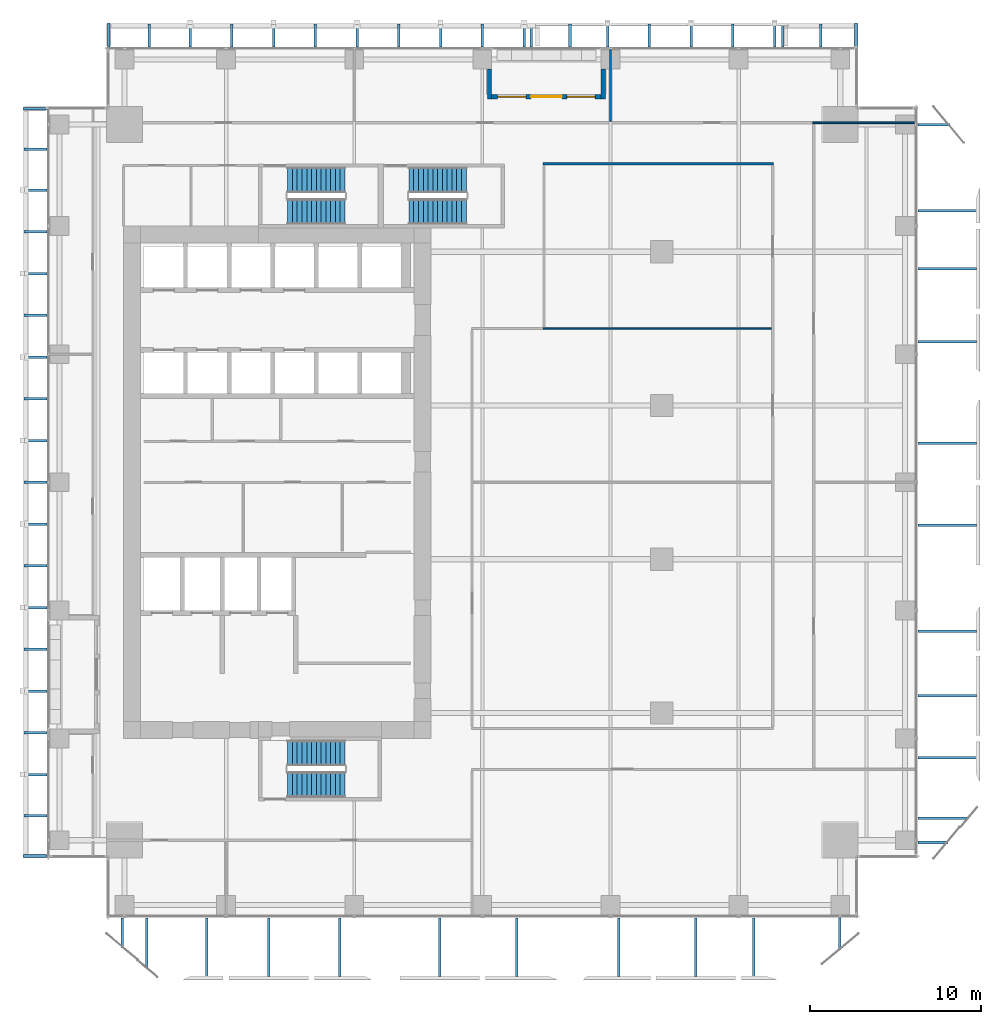
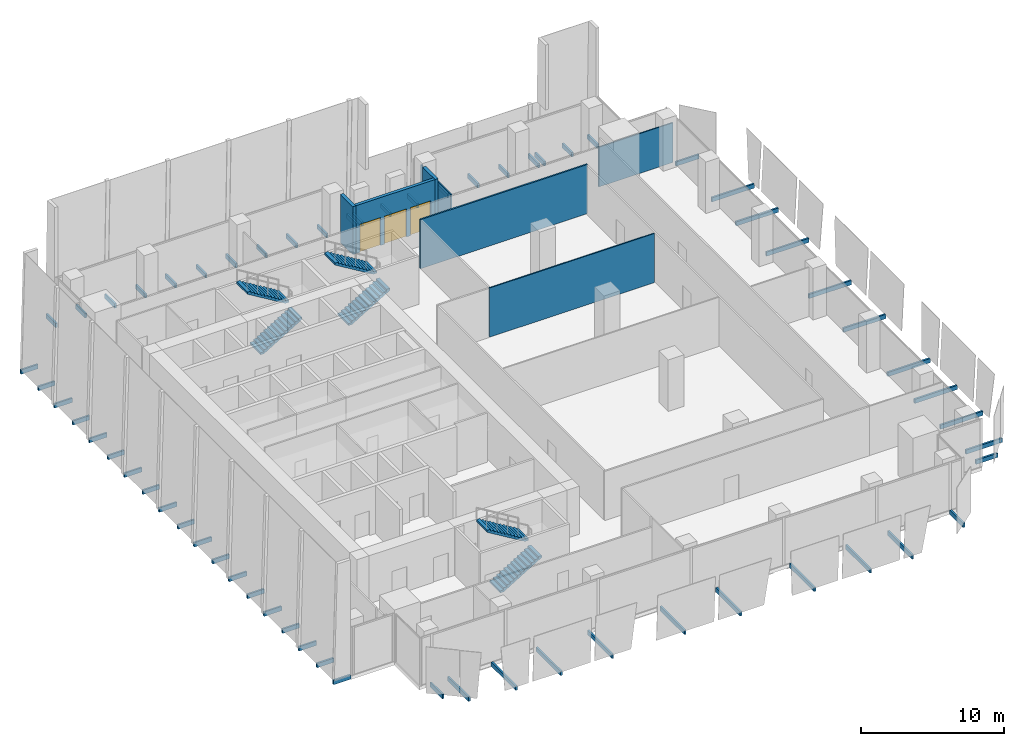
# One storey, part 31 of 34: 62 discrete accessories, 7 walls, 6 stair flights, 2 windows, 1 door, 3 openings, 3 elements without a shape of their own.
"""IFC4 building model written with IfcOpenShell, lengths in metres."""

from ifc_helpers import new_model, si_unit, direction, frame, frame_2d, origin, origin_2d, place, context, subcontext, project, spatial, polyline, rectangle, outline, extrude, source, transform, mapped, material, layer, layer_set, type_object, element, fill, aggregate, save


model = new_model("IFC4")

# Units and contexts
model_context = context("Model", 3, precision=1e-05, world=origin(), true_north=direction((0.0, 1.0)))
body_context = subcontext(model_context, "Body", "Model", "MODEL_VIEW")
ifc_project = project(units=[si_unit("LENGTHUNIT", "METRE"), si_unit("AREAUNIT", "SQUARE_METRE"), si_unit("VOLUMEUNIT", "CUBIC_METRE"), si_unit("PLANEANGLEUNIT", "RADIAN"), si_unit("MASSUNIT", "GRAM", prefix="KILO")], contexts=[model_context])

# Site, building, storey
site_placement = place(None, origin())
site = spatial("IfcSite", under=ifc_project, at=site_placement, CompositionType="ELEMENT")
building_placement = place(site_placement, origin())
building = spatial("IfcBuilding", under=site, at=building_placement, Name="Khomas Fold Tower", CompositionType="ELEMENT")
storey_placement = place(building_placement, frame((0.0, 0.0, 154.300048828125)))
storey = spatial("IfcBuildingStorey", under=building, at=storey_placement, Name="L33", CompositionType="ELEMENT", Elevation=154.300048828125)

# Wall, openings, door, windows
ifc_material_1 = material(Name="Natural stone", Category="masonry")
ifc_layer_1 = layer(ifc_material_1, 0.0400390625)
ifc_material_2 = material(Name="Mineral wool insulation", Category="insulation")
ifc_layer_2 = layer(ifc_material_2, 0.10009765625)
ifc_material_3 = material(Name="Masonry", Category="masonry")
ifc_layer_3 = layer(ifc_material_3, 0.110107421875)
ifc_layer_set_1 = layer_set([ifc_layer_1, ifc_layer_2, ifc_layer_3], Name="Stone-faced insulated masonry")
wall_type_1 = type_object("IfcWallType", Name="BL-Balcony wall", PredefinedType="SOLIDWALL", material=ifc_layer_set_1)
shared_shape_1 = source(origin(), body_context, "Body", "SweptSolid", [
    extrude(rectangle(XDim=6.39990234375, YDim=0.25, at=frame_2d((3.199951171875, 0.0))), origin(), (0.0, 0.0, 1.0), 4.099853515625),
])
wall_1_placement = place(storey_placement, frame((27.550048828125, 49.574951171875, 0.0), z_axis=(0.0, 0.0, 1.0), x_axis=(1.0, 0.0, 0.0)))
wall_1 = element("IfcWall", 1, at=wall_1_placement, inside=storey, type_object=wall_type_1, Name="Balcony wall BAL-L33-N3", PredefinedType="SOLIDWALL", context=body_context, shape_type="MappedRepresentation", body=[
    mapped(shared_shape_1, transform((0.0, 0.0, 0.0))),
])
shared_shape_2 = source(origin(), body_context, "Body", "SweptSolid", [
    extrude(rectangle(XDim=1.64990234375, YDim=2.39990234375, at=frame_2d((0.824951171875, 1.199951171875))), frame((0.0, 0.135009765625, 0.0), z_axis=(0.0, -1.0, 0.0), x_axis=(1.0, 0.0, 0.0)), (0.0, 0.0, 1.0), 0.27001953125),
])
opening_1_placement = place(wall_1_placement, frame((0.35009765625, 0.0, 0.0)))
opening_1 = element("IfcOpeningElement", 2, at=opening_1_placement, cuts=wall_1, Name="Opening BL-W2", PredefinedType="OPENING", context=body_context, shape_type="MappedRepresentation", body=[
    mapped(shared_shape_2, transform((0.0, 0.0, 0.0))),
])
opening_2_placement = place(wall_1_placement, frame((4.39990234375, 0.0, 0.0)))
opening_2 = element("IfcOpeningElement", 3, at=opening_2_placement, cuts=wall_1, Name="Opening BL-W2", PredefinedType="OPENING", context=body_context, shape_type="MappedRepresentation", body=[
    mapped(shared_shape_2, transform((0.0, 0.0, 0.0))),
])
shared_shape_3 = source(origin(), body_context, "Body", "SweptSolid", [
    extrude(rectangle(XDim=1.800048828125, YDim=2.39990234375, at=frame_2d((0.89990234375, 1.199951171875))), frame((0.0, 0.135009765625, 0.0), z_axis=(0.0, -1.0, 0.0), x_axis=(1.0, 0.0, 0.0)), (0.0, 0.0, 1.0), 0.27001953125),
])
opening_3_placement = place(wall_1_placement, frame((2.300048828125, 0.0, 0.0)))
opening_3 = element("IfcOpeningElement", 4, at=opening_3_placement, cuts=wall_1, Name="Opening BD332", PredefinedType="OPENING", context=body_context, shape_type="MappedRepresentation", body=[
    mapped(shared_shape_3, transform((0.0, 0.0, 0.0))),
])
ifc_material_4 = material(Name="Aluminium framed double glazing", Category="aluminium")
door_type = type_object("IfcDoorType", Name="BL-Glazed balcony door 1800 x 2400", OperationType="DOUBLE_DOOR_DOUBLE_SWING", PredefinedType="DOOR", material=ifc_material_4)
shared_shape_4 = source(origin(), body_context, "Body", "SweptSolid", [
    extrude(rectangle(XDim=1.800048828125, YDim=2.39990234375, at=frame_2d((0.89990234375, 1.199951171875))), frame((0.0, 0.02490234375, 0.0), z_axis=(0.0, -1.0, 0.0), x_axis=(1.0, 0.0, 0.0)), (0.0, 0.0, 1.0), 0.050048828125),
])
door_placement = place(opening_3_placement, origin())
door = element("IfcDoor", 5, at=door_placement, inside=storey, type_object=door_type, Name="Balcony door BD332", OperationType="DOUBLE_DOOR_DOUBLE_SWING", OverallHeight=2.39990234375, OverallWidth=1.800048828125, PredefinedType="DOOR", context=body_context, shape_type="MappedRepresentation", body=[
    mapped(shared_shape_4, transform((0.0, 0.0, 0.0))),
])
fill(opening_3, door)
ifc_material_5 = material(Name="Aluminium framed double glazing", Category="aluminium")
window_type = type_object("IfcWindowType", Name="BL-Fixed glazing 1650 x 2400", PartitioningType="SINGLE_PANEL", PredefinedType="WINDOW", material=ifc_material_5)
shared_shape_5 = source(origin(), body_context, "Body", "SweptSolid", [
    extrude(rectangle(XDim=1.64990234375, YDim=2.39990234375, at=frame_2d((0.824951171875, 1.199951171875))), frame((0.0, 0.030029296875, 0.0), z_axis=(0.0, -1.0, 0.0), x_axis=(1.0, 0.0, 0.0)), (0.0, 0.0, 1.0), 0.06005859375),
])
window_1_placement = place(opening_1_placement, origin())
window_1 = element("IfcWindow", 6, at=window_1_placement, inside=storey, type_object=window_type, Name="Balcony glazing BAL-L33-N3-1", OverallHeight=2.39990234375, OverallWidth=1.64990234375, PartitioningType="SINGLE_PANEL", PredefinedType="WINDOW", context=body_context, shape_type="MappedRepresentation", body=[
    mapped(shared_shape_5, transform((0.0, 0.0, 0.0))),
])
fill(opening_1, window_1)
window_2_placement = place(opening_2_placement, origin())
window_2 = element("IfcWindow", 7, at=window_2_placement, inside=storey, type_object=window_type, Name="Balcony glazing BAL-L33-N3-2", OverallHeight=2.39990234375, OverallWidth=1.64990234375, PartitioningType="SINGLE_PANEL", PredefinedType="WINDOW", context=body_context, shape_type="MappedRepresentation", body=[
    mapped(shared_shape_5, transform((0.0, 0.0, 0.0))),
])
fill(opening_2, window_2)

# Walls
shared_shape_6 = source(origin(), body_context, "Body", "SweptSolid", [
    extrude(rectangle(XDim=1.75, YDim=0.25, at=frame_2d((0.875, 0.0))), origin(), (0.0, 0.0, 1.0), 4.099853515625),
])
for number, where, z_axis, x_axis, name in (
    (8, (27.425048828125, 51.199951171875, 0.0), (0.0, 0.0, 1.0), (0.0, -1.0, 0.0), "Balcony return wall BAL-L33-N3-lo"),
    (9, (34.074951171875, 51.199951171875, 0.0), (0.0, 0.0, 1.0), (0.0, -1.0, 0.0), "Balcony return wall BAL-L33-N3-hi"),
):
    element("IfcWall", number, at=place(storey_placement, frame(where, z_axis=z_axis, x_axis=x_axis)), inside=storey, type_object=wall_type_1, Name=name, PredefinedType="SOLIDWALL", context=body_context, shape_type="MappedRepresentation", body=[
        mapped(shared_shape_6, transform((0.0, 0.0, 0.0))),
    ])
ifc_material_6 = material(Name="Plasterboard partition")
ifc_layer_4 = layer(ifc_material_6, 0.10009765625)
ifc_layer_set_2 = layer_set([ifc_layer_4], Name="Plasterboard partition")
wall_type_2 = type_object("IfcWallType", Name="Partition PW1 100", PredefinedType="PARTITIONING", material=ifc_layer_set_2)
shared_shape_7 = source(origin(), body_context, "Body", "SweptSolid", [
    extrude(rectangle(XDim=13.349853515625, YDim=0.10009765625, at=frame_2d((6.6748046875, 0.0))), origin(), (0.0, 0.0, 1.0), 4.199951171875),
])
wall_2_placement = place(storey_placement, frame((30.550048828125, 36.0, 0.0), z_axis=(0.0, 0.0, 1.0), x_axis=(1.0, 0.0, 0.0)))
element("IfcWall", 10, at=wall_2_placement, inside=storey, type_object=wall_type_2, Name="Partition", PredefinedType="PARTITIONING", context=body_context, shape_type="MappedRepresentation", body=[
    mapped(shared_shape_7, transform((0.0, 0.0, 0.0))),
])
ifc_material_7 = material(Name="Plasterboard partition")
ifc_layer_5 = layer(ifc_material_7, 0.125)
ifc_layer_set_3 = layer_set([ifc_layer_5], Name="Plasterboard partition")
wall_type_3 = type_object("IfcWallType", Name="Partition PW2 125", PredefinedType="PARTITIONING", material=ifc_layer_set_3)
shared_shape_8 = source(origin(), body_context, "Body", "SweptSolid", [
    extrude(rectangle(XDim=13.5, YDim=0.125, at=frame_2d((6.75, 0.0))), origin(), (0.0, 0.0, 1.0), 4.199951171875),
])
wall_3_placement = place(storey_placement, frame((30.550048828125, 45.64990234375, 0.0), z_axis=(0.0, 0.0, 1.0), x_axis=(1.0, 0.0, 0.0)))
element("IfcWall", 11, at=wall_3_placement, inside=storey, type_object=wall_type_3, Name="Partition", PredefinedType="PARTITIONING", context=body_context, shape_type="MappedRepresentation", body=[
    mapped(shared_shape_8, transform((0.0, 0.0, 0.0))),
])
shared_shape_9 = source(origin(), body_context, "Body", "SweptSolid", [
    extrude(rectangle(XDim=6.0, YDim=0.10009765625, at=frame_2d((3.0, 0.0))), origin(), (0.0, 0.0, 1.0), 3.39990234375),
])
wall_4_placement = place(storey_placement, frame((46.35009765625, 48.050048828125, 0.0), z_axis=(0.0, 0.0, 1.0), x_axis=(1.0, 0.0, 0.0)))
element("IfcWall", 12, at=wall_4_placement, inside=storey, type_object=wall_type_2, Name="Partition", PredefinedType="PARTITIONING", context=body_context, shape_type="MappedRepresentation", body=[
    mapped(shared_shape_9, transform((0.0, 0.0, 0.0))),
])
shared_shape_10 = source(origin(), body_context, "Body", "SweptSolid", [
    extrude(rectangle(XDim=4.2001953125, YDim=0.10009765625, at=frame_2d((2.10009765625, 0.0))), origin(), (0.0, 0.0, 1.0), 3.449951171875),
])
wall_5_placement = place(storey_placement, frame((34.5, 48.14990234375, 0.0), z_axis=(0.0, 0.0, 1.0), x_axis=(0.0, 1.0, 0.0)))
element("IfcWall", 13, at=wall_5_placement, inside=storey, type_object=wall_type_2, Name="Partition", PredefinedType="PARTITIONING", context=body_context, shape_type="MappedRepresentation", body=[
    mapped(shared_shape_10, transform((0.0, 0.0, 0.0))),
])

# Stair, stair flights
ifc_material_8 = material(Name="Concrete C40/50", Category="concrete")
stair_type_1 = type_object("IfcStairType", Name="Stair ST1", PredefinedType="HALF_TURN_STAIR", material=ifc_material_8)
stair_1_placement = place(storey_placement, origin())
stair_1 = element("IfcStair", 14, at=stair_1_placement, inside=storey, type_object=stair_type_1, Name="L33 ST1", PredefinedType="HALF_TURN_STAIR")
ifc_material_9 = material(Name="Concrete C40/50", Category="concrete")
stair_flight_type_1 = type_object("IfcStairFlightType", Name="Stair flight 1500 ST1", PredefinedType="STRAIGHT", material=ifc_material_9)
shared_shape_11 = source(origin(), body_context, "Body", "SweptSolid", [
    extrude(outline(polyline([(0.0, 0.0), (0.0, 0.012939453125), (0.0, 0.026123046875), (0.0, 0.0390625), (0.0, 0.052001953125), (0.0, 0.065185546875), (0.0, 0.078125), (0.0, 0.091064453125), (0.0, 0.104248046875), (0.0, 0.1171875), (0.0, 0.130126953125), (0.0, 0.143310546875), (0.0, 0.15625), (0.0, 0.169189453125), (0.280029296875, 0.169189453125), (0.280029296875, 0.33837890625), (0.56005859375, 0.33837890625), (0.56005859375, 0.5078125), (0.840087890625, 0.5078125), (0.840087890625, 0.677001953125), (1.1201171875, 0.677001953125), (1.1201171875, 0.84619140625), (1.39990234375, 0.84619140625), (1.39990234375, 1.015380859375), (1.679931640625, 1.015380859375), (1.679931640625, 1.1845703125), (1.9599609375, 1.1845703125), (1.9599609375, 1.353759765625), (2.239990234375, 1.353759765625), (2.239990234375, 1.523193359375), (2.52001953125, 1.523193359375), (2.52001953125, 1.6923828125), (2.800048828125, 1.6923828125), (2.800048828125, 1.861572265625), (3.080078125, 1.861572265625), (3.080078125, 2.03076171875), (3.360107421875, 2.03076171875), (3.360107421875, 2.199951171875), (3.360107421875, 2.173583984375), (3.360107421875, 2.14697265625), (3.360107421875, 2.12060546875), (3.360107421875, 2.093994140625), (3.360107421875, 2.067626953125), (3.360107421875, 2.041015625), (3.360107421875, 2.0146484375), (3.360107421875, 1.988037109375), (3.360107421875, 1.961669921875), (3.360107421875, 1.93505859375), (3.360107421875, 1.90869140625), (3.360107421875, 1.882080078125), (3.360107421875, 1.855712890625), (0.289794921875, 0.0), (0.0, 0.0)])), frame((0.0, 0.75, 0.0), z_axis=(0.0, -1.0, 0.0), x_axis=(1.0, 0.0, 0.0)), (0.0, 0.0, 1.0), 1.5),
])
stair_flight_1_placement = place(storey_placement, frame((15.60009765625, 42.85009765625, 0.0), z_axis=(0.0, 0.0, 1.0), x_axis=(1.0, 0.0, 0.0)))
stair_flight_1 = element("IfcStairFlight", 15, at=stair_flight_1_placement, type_object=stair_flight_type_1, Name="ST1 flight 1", NumberOfRisers=13, NumberOfTreads=12, PredefinedType="STRAIGHT", RiserHeight=0.169230769, TreadLength=0.28, context=body_context, shape_type="MappedRepresentation", body=[
    mapped(shared_shape_11, transform((0.0, 0.0, 0.0))),
])
stair_flight_2_placement = place(storey_placement, frame((18.9599609375, 44.699951171875, 2.199951171875), z_axis=(0.0, 0.0, 1.0), x_axis=(-1.0, 0.0, 0.0)))
stair_flight_2 = element("IfcStairFlight", 16, at=stair_flight_2_placement, type_object=stair_flight_type_1, Name="ST1 flight 2", NumberOfRisers=13, NumberOfTreads=12, PredefinedType="STRAIGHT", RiserHeight=0.169230769, TreadLength=0.28, context=body_context, shape_type="MappedRepresentation", body=[
    mapped(shared_shape_11, transform((0.0, 0.0, 0.0))),
])
aggregate(stair_1, [stair_flight_1, stair_flight_2])

ifc_material_10 = material(Name="Concrete C40/50", Category="concrete")
stair_type_2 = type_object("IfcStairType", Name="Stair ST2", PredefinedType="HALF_TURN_STAIR", material=ifc_material_10)
stair_2_placement = place(storey_placement, origin())
stair_2 = element("IfcStair", 17, at=stair_2_placement, inside=storey, type_object=stair_type_2, Name="L33 ST2", PredefinedType="HALF_TURN_STAIR")
ifc_material_11 = material(Name="Concrete C40/50", Category="concrete")
stair_flight_type_2 = type_object("IfcStairFlightType", Name="Stair flight 1500 ST2", PredefinedType="STRAIGHT", material=ifc_material_11)
stair_flight_3_placement = place(storey_placement, frame((15.60009765625, 9.300048828125, 0.0), z_axis=(0.0, 0.0, 1.0), x_axis=(1.0, 0.0, 0.0)))
stair_flight_3 = element("IfcStairFlight", 18, at=stair_flight_3_placement, type_object=stair_flight_type_2, Name="ST2 flight 1", NumberOfRisers=13, NumberOfTreads=12, PredefinedType="STRAIGHT", RiserHeight=0.169230769, TreadLength=0.28, context=body_context, shape_type="MappedRepresentation", body=[
    mapped(shared_shape_11, transform((0.0, 0.0, 0.0))),
])
stair_flight_4_placement = place(storey_placement, frame((18.9599609375, 11.14990234375, 2.199951171875), z_axis=(0.0, 0.0, 1.0), x_axis=(-1.0, 0.0, 0.0)))
stair_flight_4 = element("IfcStairFlight", 19, at=stair_flight_4_placement, type_object=stair_flight_type_2, Name="ST2 flight 2", NumberOfRisers=13, NumberOfTreads=12, PredefinedType="STRAIGHT", RiserHeight=0.169230769, TreadLength=0.28, context=body_context, shape_type="MappedRepresentation", body=[
    mapped(shared_shape_11, transform((0.0, 0.0, 0.0))),
])
aggregate(stair_2, [stair_flight_3, stair_flight_4])

ifc_material_12 = material(Name="Concrete C40/50", Category="concrete")
stair_type_3 = type_object("IfcStairType", Name="Stair ST3", PredefinedType="HALF_TURN_STAIR", material=ifc_material_12)
stair_3_placement = place(storey_placement, origin())
stair_3 = element("IfcStair", 20, at=stair_3_placement, inside=storey, type_object=stair_type_3, Name="L33 ST3", PredefinedType="HALF_TURN_STAIR")
ifc_material_13 = material(Name="Concrete C40/50", Category="concrete")
stair_flight_type_3 = type_object("IfcStairFlightType", Name="Stair flight 1500 ST3", PredefinedType="STRAIGHT", material=ifc_material_13)
stair_flight_5_placement = place(storey_placement, frame((22.699951171875, 42.85009765625, 0.0), z_axis=(0.0, 0.0, 1.0), x_axis=(1.0, 0.0, 0.0)))
stair_flight_5 = element("IfcStairFlight", 21, at=stair_flight_5_placement, type_object=stair_flight_type_3, Name="ST3 flight 1", NumberOfRisers=13, NumberOfTreads=12, PredefinedType="STRAIGHT", RiserHeight=0.169230769, TreadLength=0.28, context=body_context, shape_type="MappedRepresentation", body=[
    mapped(shared_shape_11, transform((0.0, 0.0, 0.0))),
])
stair_flight_6_placement = place(storey_placement, frame((26.06005859375, 44.699951171875, 2.199951171875), z_axis=(0.0, 0.0, 1.0), x_axis=(-1.0, 0.0, 0.0)))
stair_flight_6 = element("IfcStairFlight", 22, at=stair_flight_6_placement, type_object=stair_flight_type_3, Name="ST3 flight 2", NumberOfRisers=13, NumberOfTreads=12, PredefinedType="STRAIGHT", RiserHeight=0.169230769, TreadLength=0.28, context=body_context, shape_type="MappedRepresentation", body=[
    mapped(shared_shape_11, transform((0.0, 0.0, 0.0))),
])
aggregate(stair_3, [stair_flight_5, stair_flight_6])

# Discrete accessories
ifc_material_14 = material(Name="Stainless steel", Category="steel")
discrete_accessory_type = type_object("IfcDiscreteAccessoryType", Name="SK-Stainless steel stone bracket", PredefinedType="BRACKET", material=ifc_material_14)
shared_shape_12 = source(origin(), body_context, "Body", "SweptSolid", [
    extrude(rectangle(XDim=1.75, YDim=0.14990234375, at=origin_2d()), origin(), (0.0, 0.0, 1.0), 0.360107421875),
])
for number, where, z_axis, x_axis, name in (
    (23, (5.9150390625, 0.625, -0.30029296875), (0.0, 0.0, 1.0), (0.0, -1.0, 0.0), "Stone bracket L33 SG098-1-1"),
    (24, (53.375, 5.9150390625, -0.30029296875), (0.0, 0.0, 1.0), (1.0, 0.0, 0.0), "Stone bracket L33 EG098-1-1"),
):
    element("IfcDiscreteAccessory", number, at=place(storey_placement, frame(where, z_axis=z_axis, x_axis=x_axis)), inside=storey, type_object=discrete_accessory_type, Name=name, PredefinedType="BRACKET", context=body_context, shape_type="MappedRepresentation", body=[
        mapped(shared_shape_12, transform((0.0, 0.0, 0.0))),
    ])
shared_shape_13 = source(origin(), body_context, "Body", "SweptSolid", [
    extrude(rectangle(XDim=1.875, YDim=0.14990234375, at=origin_2d()), origin(), (0.0, 0.0, 1.0), 0.360107421875),
])
for number, where, z_axis, x_axis, name in (
    (25, (47.93505859375, 0.5625, -0.30029296875), (0.0, 0.0, 1.0), (0.0, -1.0, 0.0), "Stone bracket L33 SG107-11-1"),
    (26, (53.4375, 47.93505859375, -0.30029296875), (0.0, 0.0, 1.0), (1.0, 0.0, 0.0), "Stone bracket L33 EG107-11-1"),
):
    element("IfcDiscreteAccessory", number, at=place(storey_placement, frame(where, z_axis=z_axis, x_axis=x_axis)), inside=storey, type_object=discrete_accessory_type, Name=name, PredefinedType="BRACKET", context=body_context, shape_type="MappedRepresentation", body=[
        mapped(shared_shape_13, transform((0.0, 0.0, 0.0))),
    ])
shared_shape_14 = source(origin(), body_context, "Body", "SweptSolid", [
    extrude(rectangle(XDim=2.93798828125, YDim=0.14990234375, at=origin_2d()), origin(), (0.0, 0.0, 1.0), 0.360107421875),
])
for number, where, z_axis, x_axis, name in (
    (27, (7.340576171875, 0.031005859375, -0.30029296875), (0.0, 0.0, 1.0), (0.0, -1.0, 0.0), "Stone bracket L33 SG099-2-1"),
    (28, (53.968994140625, 7.340576171875, -0.30029296875), (0.0, 0.0, 1.0), (1.0, 0.0, 0.0), "Stone bracket L33 EG099-2-1"),
):
    element("IfcDiscreteAccessory", number, at=place(storey_placement, frame(where, z_axis=z_axis, x_axis=x_axis)), inside=storey, type_object=discrete_accessory_type, Name=name, PredefinedType="BRACKET", context=body_context, shape_type="MappedRepresentation", body=[
        mapped(shared_shape_14, transform((0.0, 0.0, 0.0))),
    ])
shared_shape_15 = source(origin(), body_context, "Body", "SweptSolid", [
    extrude(rectangle(XDim=3.432861328125, YDim=0.14990234375, at=origin_2d()), origin(), (0.0, 0.0, 1.0), 0.360107421875),
])
for number, where, z_axis, x_axis, name in (
    (29, (10.873779296875, -0.21630859375, -0.30029296875), (0.0, 0.0, 1.0), (0.0, -1.0, 0.0), "Stone bracket L33 SG099-3-1"),
    (30, (14.5, -0.21630859375, -0.30029296875), (0.0, 0.0, 1.0), (0.0, -1.0, 0.0), "Stone bracket L33 SG100-4-1"),
    (31, (18.64697265625, -0.21630859375, -0.30029296875), (0.0, 0.0, 1.0), (0.0, -1.0, 0.0), "Stone bracket L33 SG101-5-1"),
    (32, (24.5, -0.21630859375, -0.30029296875), (0.0, 0.0, 1.0), (0.0, -1.0, 0.0), "Stone bracket L33 SG102-6-1"),
    (33, (29.019287109375, -0.21630859375, -0.30029296875), (0.0, 0.0, 1.0), (0.0, -1.0, 0.0), "Stone bracket L33 SG103-7-1"),
    (34, (34.978271484375, -0.21630859375, -0.30029296875), (0.0, 0.0, 1.0), (0.0, -1.0, 0.0), "Stone bracket L33 SG104-8-1"),
    (35, (39.5, -0.21630859375, -0.30029296875), (0.0, 0.0, 1.0), (0.0, -1.0, 0.0), "Stone bracket L33 SG105-9-1"),
    (36, (42.895263671875, -0.21630859375, -0.30029296875), (0.0, 0.0, 1.0), (0.0, -1.0, 0.0), "Stone bracket L33 SG106-10-1"),
    (37, (54.21630859375, 10.873779296875, -0.30029296875), (0.0, 0.0, 1.0), (1.0, 0.0, 0.0), "Stone bracket L33 EG099-3-1"),
    (38, (54.21630859375, 14.5, -0.30029296875), (0.0, 0.0, 1.0), (1.0, 0.0, 0.0), "Stone bracket L33 EG100-4-1"),
    (39, (54.21630859375, 18.281494140625, -0.30029296875), (0.0, 0.0, 1.0), (1.0, 0.0, 0.0), "Stone bracket L33 EG101-5-1"),
    (40, (54.21630859375, 24.5, -0.30029296875), (0.0, 0.0, 1.0), (1.0, 0.0, 0.0), "Stone bracket L33 EG102-6-1"),
    (41, (54.21630859375, 29.281982421875, -0.30029296875), (0.0, 0.0, 1.0), (1.0, 0.0, 0.0), "Stone bracket L33 EG103-7-1"),
    (42, (54.21630859375, 35.240966796875, -0.30029296875), (0.0, 0.0, 1.0), (1.0, 0.0, 0.0), "Stone bracket L33 EG104-8-1"),
    (43, (54.21630859375, 39.5, -0.30029296875), (0.0, 0.0, 1.0), (1.0, 0.0, 0.0), "Stone bracket L33 EG105-9-1"),
    (44, (54.21630859375, 42.895263671875, -0.30029296875), (0.0, 0.0, 1.0), (1.0, 0.0, 0.0), "Stone bracket L33 EG106-10-1"),
):
    element("IfcDiscreteAccessory", number, at=place(storey_placement, frame(where, z_axis=z_axis, x_axis=x_axis)), inside=storey, type_object=discrete_accessory_type, Name=name, PredefinedType="BRACKET", context=body_context, shape_type="MappedRepresentation", body=[
        mapped(shared_shape_15, transform((0.0, 0.0, 0.0))),
    ])
shared_shape_16 = source(origin(), body_context, "Body", "SweptSolid", [
    extrude(rectangle(XDim=1.341552734375, YDim=0.14990234375, at=origin_2d()), origin(), (0.0, 0.0, 1.0), 0.360107421875),
])
for number, where, z_axis, x_axis, name in (
    (45, (7.494384765625, 53.1708984375, -0.30029296875), (0.0, 0.0, 1.0), (0.0, 1.0, 0.0), "Stone bracket L33 PLNG01"),
    (46, (12.333251953125, 53.1708984375, -0.30029296875), (0.0, 0.0, 1.0), (0.0, 1.0, 0.0), "Stone bracket L33 PLNG03"),
    (47, (17.22216796875, 53.1708984375, -0.30029296875), (0.0, 0.0, 1.0), (0.0, 1.0, 0.0), "Stone bracket L33 PLNG05"),
    (48, (22.111083984375, 53.1708984375, -0.30029296875), (0.0, 0.0, 1.0), (0.0, 1.0, 0.0), "Stone bracket L33 PLNG07"),
    (49, (27.0, 53.1708984375, -0.30029296875), (0.0, 0.0, 1.0), (0.0, 1.0, 0.0), "Stone bracket L33 PLNG09"),
    (50, (29.857177734375, 53.1708984375, -0.30029296875), (0.0, 0.0, 1.0), (0.0, 1.0, 0.0), "Stone bracket L33 PLNG11"),
    (51, (32.131591796875, 53.1708984375, -0.30029296875), (0.0, 0.0, 1.0), (0.0, 1.0, 0.0), "Stone bracket L33 PLNG12"),
    (52, (36.77783203125, 53.1708984375, -0.30029296875), (0.0, 0.0, 1.0), (0.0, 1.0, 0.0), "Stone bracket L33 PLNG14"),
    (53, (41.666748046875, 53.1708984375, -0.30029296875), (0.0, 0.0, 1.0), (0.0, 1.0, 0.0), "Stone bracket L33 PLNG16"),
    (54, (46.81494140625, 53.1708984375, -0.30029296875), (0.0, 0.0, 1.0), (0.0, 1.0, 0.0), "Stone bracket L33 PLNG18"),
    (55, (44.590576171875, 53.1708984375, -0.30029296875), (0.0, 0.0, 1.0), (0.0, 1.0, 0.0), "Stone bracket L33 PLNG19"),
    (56, (0.8291015625, 7.494384765625, -0.30029296875), (0.0, 0.0, 1.0), (-1.0, 0.0, 0.0), "Stone bracket L33 PLWG01"),
    (57, (0.8291015625, 12.333251953125, -0.30029296875), (0.0, 0.0, 1.0), (-1.0, 0.0, 0.0), "Stone bracket L33 PLWG03"),
    (58, (0.8291015625, 17.22216796875, -0.30029296875), (0.0, 0.0, 1.0), (-1.0, 0.0, 0.0), "Stone bracket L33 PLWG05"),
    (59, (0.8291015625, 22.111083984375, -0.30029296875), (0.0, 0.0, 1.0), (-1.0, 0.0, 0.0), "Stone bracket L33 PLWG07"),
    (60, (0.8291015625, 27.0, -0.30029296875), (0.0, 0.0, 1.0), (-1.0, 0.0, 0.0), "Stone bracket L33 PLWG09"),
    (61, (0.8291015625, 31.888916015625, -0.30029296875), (0.0, 0.0, 1.0), (-1.0, 0.0, 0.0), "Stone bracket L33 PLWG11"),
    (62, (0.8291015625, 36.77783203125, -0.30029296875), (0.0, 0.0, 1.0), (-1.0, 0.0, 0.0), "Stone bracket L33 PLWG13"),
    (63, (0.8291015625, 41.666748046875, -0.30029296875), (0.0, 0.0, 1.0), (-1.0, 0.0, 0.0), "Stone bracket L33 PLWG15"),
    (64, (0.8291015625, 46.505615234375, -0.30029296875), (0.0, 0.0, 1.0), (-1.0, 0.0, 0.0), "Stone bracket L33 PLWG17"),
):
    element("IfcDiscreteAccessory", number, at=place(storey_placement, frame(where, z_axis=z_axis, x_axis=x_axis)), inside=storey, type_object=discrete_accessory_type, Name=name, PredefinedType="BRACKET", context=body_context, shape_type="MappedRepresentation", body=[
        mapped(shared_shape_16, transform((0.0, 0.0, 0.0))),
    ])
shared_shape_17 = source(origin(), body_context, "Body", "SweptSolid", [
    extrude(rectangle(XDim=1.4365234375, YDim=0.14990234375, at=origin_2d()), origin(), (0.0, 0.0, 1.0), 0.360107421875),
])
for number, where, z_axis, x_axis, name in (
    (65, (9.888916015625, 53.21826171875, -0.30029296875), (0.0, 0.0, 1.0), (0.0, 1.0, 0.0), "Stone bracket L33 PLNM02"),
    (66, (14.77783203125, 53.21826171875, -0.30029296875), (0.0, 0.0, 1.0), (0.0, 1.0, 0.0), "Stone bracket L33 PLNM04"),
    (67, (19.666748046875, 53.21826171875, -0.30029296875), (0.0, 0.0, 1.0), (0.0, 1.0, 0.0), "Stone bracket L33 PLNM06"),
    (68, (24.5556640625, 53.21826171875, -0.30029296875), (0.0, 0.0, 1.0), (0.0, 1.0, 0.0), "Stone bracket L33 PLNM08"),
    (69, (29.4443359375, 53.21826171875, -0.30029296875), (0.0, 0.0, 1.0), (0.0, 1.0, 0.0), "Stone bracket L33 PLNM10"),
    (70, (34.333251953125, 53.21826171875, -0.30029296875), (0.0, 0.0, 1.0), (0.0, 1.0, 0.0), "Stone bracket L33 PLNM13"),
    (71, (39.22216796875, 53.21826171875, -0.30029296875), (0.0, 0.0, 1.0), (0.0, 1.0, 0.0), "Stone bracket L33 PLNM15"),
    (72, (44.111083984375, 53.21826171875, -0.30029296875), (0.0, 0.0, 1.0), (0.0, 1.0, 0.0), "Stone bracket L33 PLNM17"),
    (73, (0.78173828125, 9.888916015625, -0.30029296875), (0.0, 0.0, 1.0), (-1.0, 0.0, 0.0), "Stone bracket L33 PLWM02"),
    (74, (0.78173828125, 14.77783203125, -0.30029296875), (0.0, 0.0, 1.0), (-1.0, 0.0, 0.0), "Stone bracket L33 PLWM04"),
    (75, (0.78173828125, 19.666748046875, -0.30029296875), (0.0, 0.0, 1.0), (-1.0, 0.0, 0.0), "Stone bracket L33 PLWM06"),
    (76, (0.78173828125, 24.5556640625, -0.30029296875), (0.0, 0.0, 1.0), (-1.0, 0.0, 0.0), "Stone bracket L33 PLWM08"),
    (77, (0.78173828125, 29.4443359375, -0.30029296875), (0.0, 0.0, 1.0), (-1.0, 0.0, 0.0), "Stone bracket L33 PLWM10"),
    (78, (0.78173828125, 34.333251953125, -0.30029296875), (0.0, 0.0, 1.0), (-1.0, 0.0, 0.0), "Stone bracket L33 PLWM12"),
    (79, (0.78173828125, 39.22216796875, -0.30029296875), (0.0, 0.0, 1.0), (-1.0, 0.0, 0.0), "Stone bracket L33 PLWM14"),
    (80, (0.78173828125, 44.111083984375, -0.30029296875), (0.0, 0.0, 1.0), (-1.0, 0.0, 0.0), "Stone bracket L33 PLWM16"),
):
    element("IfcDiscreteAccessory", number, at=place(storey_placement, frame(where, z_axis=z_axis, x_axis=x_axis)), inside=storey, type_object=discrete_accessory_type, Name=name, PredefinedType="BRACKET", context=body_context, shape_type="MappedRepresentation", body=[
        mapped(shared_shape_17, transform((0.0, 0.0, 0.0))),
    ])
shared_shape_18 = source(origin(), body_context, "Body", "SweptSolid", [
    extrude(rectangle(XDim=1.381591796875, YDim=0.14990234375, at=origin_2d()), origin(), (0.0, 0.0, 1.0), 0.360107421875),
])
for number, where, z_axis, x_axis, name in (
    (81, (5.125, 53.19091796875, -0.30029296875), (0.0, 0.0, 1.0), (0.0, 1.0, 0.0), "Stone bracket L33 PLNR1"),
    (82, (48.875, 53.19091796875, -0.30029296875), (0.0, 0.0, 1.0), (0.0, 1.0, 0.0), "Stone bracket L33 PLNR2"),
    (83, (0.80908203125, 5.125, -0.30029296875), (0.0, 0.0, 1.0), (-1.0, 0.0, 0.0), "Stone bracket L33 PLWR1"),
    (84, (0.80908203125, 48.875, -0.30029296875), (0.0, 0.0, 1.0), (-1.0, 0.0, 0.0), "Stone bracket L33 PLWR2"),
):
    element("IfcDiscreteAccessory", number, at=place(storey_placement, frame(where, z_axis=z_axis, x_axis=x_axis)), inside=storey, type_object=discrete_accessory_type, Name=name, PredefinedType="BRACKET", context=body_context, shape_type="MappedRepresentation", body=[
        mapped(shared_shape_18, transform((0.0, 0.0, 0.0))),
    ])

save(model, "model.ifc")
